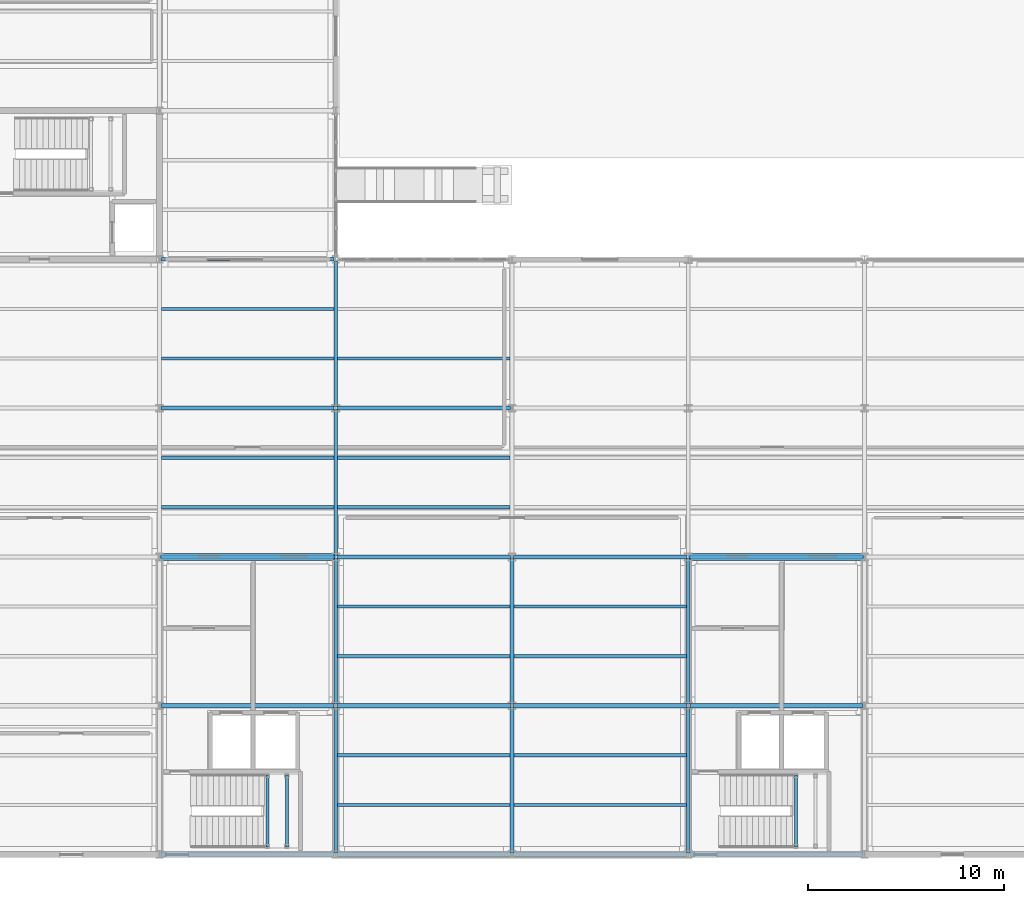
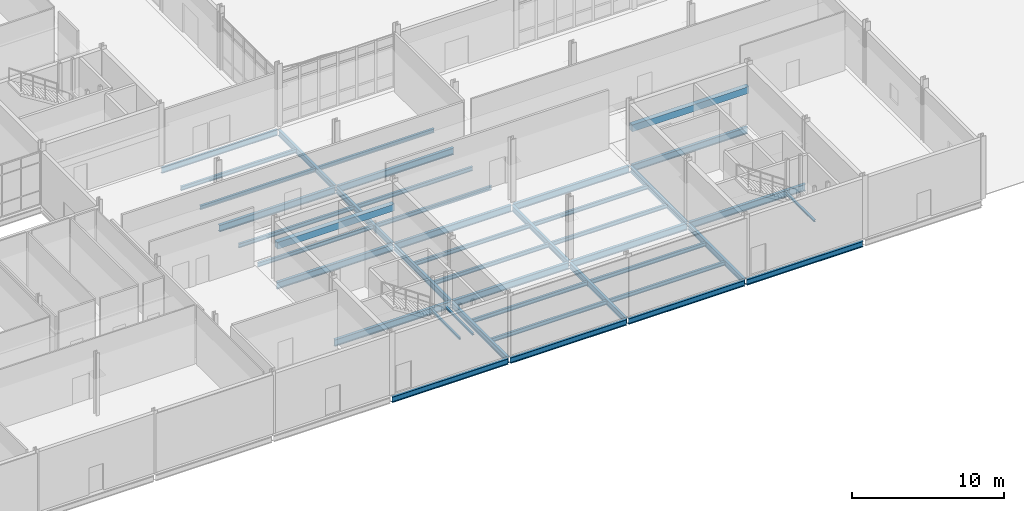
# One storey, part 54 of 161: 43 beams.
"""IFC4 building model written with IfcOpenShell, lengths in metres."""

from ifc_helpers import new_model, si_unit, direction, frame, origin, origin_2d, place, context, subcontext, project, spatial, rectangle, i_section, extrude, material, material_profile, profile_set, type_object, element, save


model = new_model("IFC4")

# Units and contexts
model_context = context("Model", 3, precision=1e-05, world=origin(), true_north=direction((0.0, 1.0)))
body_context = subcontext(model_context, "Body", "Model", "MODEL_VIEW")
ifc_project = project(units=[si_unit("LENGTHUNIT", "METRE"), si_unit("AREAUNIT", "SQUARE_METRE"), si_unit("VOLUMEUNIT", "CUBIC_METRE"), si_unit("PLANEANGLEUNIT", "RADIAN"), si_unit("MASSUNIT", "GRAM", prefix="KILO")], contexts=[model_context])

# Site, building, storey
site_placement = place(None, origin())
site = spatial("IfcSite", under=ifc_project, at=site_placement, CompositionType="ELEMENT")
building_placement = place(site_placement, origin())
building = spatial("IfcBuilding", under=site, at=building_placement, Name="Caisbarro Railhouse Central Library", CompositionType="ELEMENT")
storey_placement = place(building_placement, origin())
storey = spatial("IfcBuildingStorey", under=building, at=storey_placement, Name="L00", CompositionType="ELEMENT", Elevation=0.0)

# Beams
ifc_material_1 = material(Name="Steel ASTM A572 Grade 50", Category="steel")
ifc_material_profile_1 = material_profile(ifc_material_1, i_section(OverallWidth=0.2119140625, OverallDepth=0.5439453125, WebThickness=0.01318359375, FlangeThickness=0.021240234375, FilletRadius=0.02001953125, at=origin_2d()), Name="W530X123.0")
ifc_profile_set_1 = profile_set([ifc_material_profile_1], Name="Steel ASTM A572 Grade 50")
beam_type_1 = type_object("IfcBeamType", Name="BM-G05", PredefinedType="BEAM", material=ifc_profile_set_1)
for number, where, z_axis, x_axis, name in (
    (1, (63.080078125, 7.60009765625, -0.552001953125), (1.0, 0.0, 0.0), (0.0, 1.0, 0.0), "G05 beam L00 #157"),
    (2, (72.080078125, 7.60009765625, -0.552001953125), (1.0, 0.0, 0.0), (0.0, 1.0, 0.0), "G05 beam L00 #158"),
    (3, (81.080078125, 7.60009765625, -0.552001953125), (1.0, 0.0, 0.0), (0.0, 1.0, 0.0), "G05 beam L00 #159"),
    (4, (90.080078125, 7.60009765625, -0.552001953125), (1.0, 0.0, 0.0), (0.0, 1.0, 0.0), "G05 beam L00 #160"),
    (5, (63.080078125, 15.199951171875, -0.552001953125), (1.0, 0.0, 0.0), (0.0, 1.0, 0.0), "G05 beam L00 #163"),
    (6, (72.080078125, 15.199951171875, -0.552001953125), (1.0, 0.0, 0.0), (0.0, 1.0, 0.0), "G05 beam L00 #164"),
    (7, (81.080078125, 15.199951171875, -0.552001953125), (1.0, 0.0, 0.0), (0.0, 1.0, 0.0), "G05 beam L00 #165"),
    (8, (90.080078125, 15.199951171875, -0.552001953125), (1.0, 0.0, 0.0), (0.0, 1.0, 0.0), "G05 beam L00 #166"),
    (9, (63.080078125, 22.800048828125, -0.552001953125), (1.0, 0.0, 0.0), (0.0, 1.0, 0.0), "G05 beam L00 #169"),
    (10, (72.080078125, 22.800048828125, -0.552001953125), (1.0, 0.0, 0.0), (0.0, 1.0, 0.0), "G05 beam L00 #170"),
):
    element("IfcBeam", number, at=place(storey_placement, frame(where, z_axis=z_axis, x_axis=x_axis)), inside=storey, type_object=beam_type_1, Name=name, PredefinedType="BEAM", context=body_context, shape_type="SweptSolid", body=[
        extrude(i_section(OverallWidth=0.2119140625, OverallDepth=0.5439453125, WebThickness=0.01318359375, FlangeThickness=0.021240234375, FilletRadius=0.02001953125, at=origin_2d()), origin(), (0.0, 0.0, 1.0), 8.83984375),
    ])
ifc_material_profile_2 = material_profile(ifc_material_1, i_section(OverallWidth=0.194091796875, OverallDepth=0.468994140625, WebThickness=0.0126953125, FlangeThickness=0.0205078125, FilletRadius=0.01806640625, at=origin_2d()), Name="W460X106.0")
ifc_profile_set_2 = profile_set([ifc_material_profile_2], Name="Steel ASTM A572 Grade 50")
beam_type_2 = type_object("IfcBeamType", Name="BM-G07", PredefinedType="BEAM", material=ifc_profile_set_2)
beam_1_placement = place(storey_placement, frame((72.0, 0.080078125, -0.514404296875), z_axis=(0.0, 1.0, 0.0), x_axis=(-1.0, 0.0, 0.0)))
element("IfcBeam", 11, at=beam_1_placement, inside=storey, type_object=beam_type_2, Name="G07 beam L00 #185", PredefinedType="BEAM", context=body_context, shape_type="SweptSolid", body=[
    extrude(i_section(OverallWidth=0.194091796875, OverallDepth=0.468994140625, WebThickness=0.0126953125, FlangeThickness=0.0205078125, FilletRadius=0.01806640625, at=origin_2d()), origin(), (0.0, 0.0, 1.0), 7.43994140625),
])
beam_2_placement = place(storey_placement, frame((72.0, 7.679931640625, -0.514404296875), z_axis=(0.0, 1.0, 0.0), x_axis=(-1.0, 0.0, 0.0)))
element("IfcBeam", 12, at=beam_2_placement, inside=storey, type_object=beam_type_2, Name="G07 beam L00 #186", PredefinedType="BEAM", context=body_context, shape_type="SweptSolid", body=[
    extrude(i_section(OverallWidth=0.194091796875, OverallDepth=0.468994140625, WebThickness=0.0126953125, FlangeThickness=0.0205078125, FilletRadius=0.01806640625, at=origin_2d()), origin(), (0.0, 0.0, 1.0), 7.440185546875),
])
beam_3_placement = place(storey_placement, frame((72.0, 15.280029296875, -0.514404296875), z_axis=(0.0, 1.0, 0.0), x_axis=(-1.0, 0.0, 0.0)))
element("IfcBeam", 13, at=beam_3_placement, inside=storey, type_object=beam_type_2, Name="G07 beam L00 #187", PredefinedType="BEAM", context=body_context, shape_type="SweptSolid", body=[
    extrude(i_section(OverallWidth=0.194091796875, OverallDepth=0.468994140625, WebThickness=0.0126953125, FlangeThickness=0.0205078125, FilletRadius=0.01806640625, at=origin_2d()), origin(), (0.0, 0.0, 1.0), 7.43994140625),
])
beam_4_placement = place(storey_placement, frame((72.0, 22.8798828125, -0.514404296875), z_axis=(0.0, 1.0, 0.0), x_axis=(-1.0, 0.0, 0.0)))
element("IfcBeam", 14, at=beam_4_placement, inside=storey, type_object=beam_type_2, Name="G07 beam L00 #188", PredefinedType="BEAM", context=body_context, shape_type="SweptSolid", body=[
    extrude(i_section(OverallWidth=0.194091796875, OverallDepth=0.468994140625, WebThickness=0.0126953125, FlangeThickness=0.0205078125, FilletRadius=0.01806640625, at=origin_2d()), origin(), (0.0, 0.0, 1.0), 7.440185546875),
])
beam_5_placement = place(storey_placement, frame((81.0, 0.080078125, -0.514404296875), z_axis=(0.0, 1.0, 0.0), x_axis=(-1.0, 0.0, 0.0)))
element("IfcBeam", 15, at=beam_5_placement, inside=storey, type_object=beam_type_2, Name="G07 beam L00 #189", PredefinedType="BEAM", context=body_context, shape_type="SweptSolid", body=[
    extrude(i_section(OverallWidth=0.194091796875, OverallDepth=0.468994140625, WebThickness=0.0126953125, FlangeThickness=0.0205078125, FilletRadius=0.01806640625, at=origin_2d()), origin(), (0.0, 0.0, 1.0), 7.43994140625),
])
beam_6_placement = place(storey_placement, frame((81.0, 7.679931640625, -0.514404296875), z_axis=(0.0, 1.0, 0.0), x_axis=(-1.0, 0.0, 0.0)))
element("IfcBeam", 16, at=beam_6_placement, inside=storey, type_object=beam_type_2, Name="G07 beam L00 #190", PredefinedType="BEAM", context=body_context, shape_type="SweptSolid", body=[
    extrude(i_section(OverallWidth=0.194091796875, OverallDepth=0.468994140625, WebThickness=0.0126953125, FlangeThickness=0.0205078125, FilletRadius=0.01806640625, at=origin_2d()), origin(), (0.0, 0.0, 1.0), 7.440185546875),
])
beam_7_placement = place(storey_placement, frame((90.0, 0.080078125, -0.514404296875), z_axis=(0.0, 1.0, 0.0), x_axis=(-1.0, 0.0, 0.0)))
element("IfcBeam", 17, at=beam_7_placement, inside=storey, type_object=beam_type_2, Name="G07 beam L00 #193", PredefinedType="BEAM", context=body_context, shape_type="SweptSolid", body=[
    extrude(i_section(OverallWidth=0.194091796875, OverallDepth=0.468994140625, WebThickness=0.0126953125, FlangeThickness=0.0205078125, FilletRadius=0.01806640625, at=origin_2d()), origin(), (0.0, 0.0, 1.0), 7.43994140625),
])
beam_8_placement = place(storey_placement, frame((90.0, 7.679931640625, -0.514404296875), z_axis=(0.0, 1.0, 0.0), x_axis=(-1.0, 0.0, 0.0)))
element("IfcBeam", 18, at=beam_8_placement, inside=storey, type_object=beam_type_2, Name="G07 beam L00 #194", PredefinedType="BEAM", context=body_context, shape_type="SweptSolid", body=[
    extrude(i_section(OverallWidth=0.194091796875, OverallDepth=0.468994140625, WebThickness=0.0126953125, FlangeThickness=0.0205078125, FilletRadius=0.01806640625, at=origin_2d()), origin(), (0.0, 0.0, 1.0), 7.440185546875),
])
ifc_material_profile_3 = material_profile(ifc_material_1, i_section(OverallWidth=0.1669921875, OverallDepth=0.31689453125, WebThickness=0.007568359375, FlangeThickness=0.01318359375, FilletRadius=0.011962890625, at=origin_2d()), Name="W310X52.0")
ifc_profile_set_3 = profile_set([ifc_material_profile_3], Name="Steel ASTM A572 Grade 50")
beam_type_3 = type_object("IfcBeamType", Name="BM-J02", PredefinedType="JOIST", material=ifc_profile_set_3)
for number, where, z_axis, x_axis, name in (
    (19, (63.096923828125, 17.7333984375, -0.4384765625), (1.0, 0.0, 0.0), (0.0, 1.0, 0.0), "J02 beam L00 #213"),
    (20, (63.096923828125, 20.2666015625, -0.4384765625), (1.0, 0.0, 0.0), (0.0, 1.0, 0.0), "J02 beam L00 #214"),
    (21, (63.096923828125, 25.333251953125, -0.4384765625), (1.0, 0.0, 0.0), (0.0, 1.0, 0.0), "J02 beam L00 #215"),
    (22, (63.096923828125, 27.86669921875, -0.4384765625), (1.0, 0.0, 0.0), (0.0, 1.0, 0.0), "J02 beam L00 #216"),
    (23, (72.096923828125, 2.533203125, -0.4384765625), (1.0, 0.0, 0.0), (0.0, 1.0, 0.0), "J02 beam L00 #217"),
    (24, (72.096923828125, 5.066650390625, -0.4384765625), (1.0, 0.0, 0.0), (0.0, 1.0, 0.0), "J02 beam L00 #218"),
    (25, (72.096923828125, 10.13330078125, -0.4384765625), (1.0, 0.0, 0.0), (0.0, 1.0, 0.0), "J02 beam L00 #219"),
    (26, (72.096923828125, 12.666748046875, -0.4384765625), (1.0, 0.0, 0.0), (0.0, 1.0, 0.0), "J02 beam L00 #220"),
    (27, (72.096923828125, 17.7333984375, -0.4384765625), (1.0, 0.0, 0.0), (0.0, 1.0, 0.0), "J02 beam L00 #221"),
    (28, (72.096923828125, 20.2666015625, -0.4384765625), (1.0, 0.0, 0.0), (0.0, 1.0, 0.0), "J02 beam L00 #222"),
    (29, (72.096923828125, 25.333251953125, -0.4384765625), (1.0, 0.0, 0.0), (0.0, 1.0, 0.0), "J02 beam L00 #223"),
    (30, (81.096923828125, 2.533203125, -0.4384765625), (1.0, 0.0, 0.0), (0.0, 1.0, 0.0), "J02 beam L00 #225"),
    (31, (81.096923828125, 5.066650390625, -0.4384765625), (1.0, 0.0, 0.0), (0.0, 1.0, 0.0), "J02 beam L00 #226"),
    (32, (81.096923828125, 10.13330078125, -0.4384765625), (1.0, 0.0, 0.0), (0.0, 1.0, 0.0), "J02 beam L00 #227"),
    (33, (81.096923828125, 12.666748046875, -0.4384765625), (1.0, 0.0, 0.0), (0.0, 1.0, 0.0), "J02 beam L00 #228"),
):
    element("IfcBeam", number, at=place(storey_placement, frame(where, z_axis=z_axis, x_axis=x_axis)), inside=storey, type_object=beam_type_3, Name=name, PredefinedType="JOIST", context=body_context, shape_type="SweptSolid", body=[
        extrude(i_section(OverallWidth=0.1669921875, OverallDepth=0.31689453125, WebThickness=0.007568359375, FlangeThickness=0.01318359375, FilletRadius=0.011962890625, at=origin_2d()), origin(), (0.0, 0.0, 1.0), 8.80615234375),
    ])
ifc_material_2 = material(Name="Concrete C40", Category="concrete")
ifc_material_profile_4 = material_profile(ifc_material_2, rectangle(XDim=0.35009765625, YDim=0.550048828125, at=origin_2d()), Name="RC-LIN-350X550")
ifc_profile_set_4 = profile_set([ifc_material_profile_4], Name="Concrete C40")
beam_type_4 = type_object("IfcBeamType", Name="BM-LN00", PredefinedType="LINTEL", material=ifc_profile_set_4)
for number, where, z_axis, x_axis, name in (
    (34, (63.050048828125, 15.199951171875, 2.72509765625), (1.0, 0.0, 0.0), (0.0, 1.0, 0.0), "LN00 RC core coupling lintel K1 L00"),
    (35, (90.050048828125, 15.199951171875, 2.72509765625), (1.0, 0.0, 0.0), (0.0, 1.0, 0.0), "LN00 RC core coupling lintel K2 L00"),
):
    element("IfcBeam", number, at=place(storey_placement, frame(where, z_axis=z_axis, x_axis=x_axis)), inside=storey, type_object=beam_type_4, Name=name, PredefinedType="LINTEL", context=body_context, shape_type="SweptSolid", body=[
        extrude(rectangle(XDim=0.35009765625, YDim=0.550048828125, at=origin_2d()), origin(), (0.0, 0.0, 1.0), 8.89990234375),
    ])
ifc_material_profile_5 = material_profile(ifc_material_1, i_section(OverallWidth=0.152099609375, OverallDepth=0.152099609375, WebThickness=0.005859375, FlangeThickness=0.006591796875, FilletRadius=0.008056640625, at=origin_2d()), Name="W150X22.5")
ifc_profile_set_5 = profile_set([ifc_material_profile_5], Name="Steel ASTM A572 Grade 50")
beam_type_5 = type_object("IfcBeamType", Name="BM-SL00", PredefinedType="BEAM", material=ifc_profile_set_5)
for number, where, z_axis, x_axis, name in (
    (36, (68.5, 0.3798828125, 2.25390625), (0.0, 1.0, 0.0), (-1.0, 0.0, 0.0), "SL00 Stair Landing Support Beam K1 L00 W"),
    (37, (69.5, 0.3798828125, 2.25390625), (0.0, 1.0, 0.0), (-1.0, 0.0, 0.0), "SL00 Stair Landing Support Beam K1 L00 E"),
    (38, (95.5, 0.3798828125, 2.25390625), (0.0, 1.0, 0.0), (-1.0, 0.0, 0.0), "SL00 Stair Landing Support Beam K2 L00 W"),
):
    element("IfcBeam", number, at=place(storey_placement, frame(where, z_axis=z_axis, x_axis=x_axis)), inside=storey, type_object=beam_type_5, Name=name, PredefinedType="BEAM", context=body_context, shape_type="SweptSolid", body=[
        extrude(i_section(OverallWidth=0.152099609375, OverallDepth=0.152099609375, WebThickness=0.005859375, FlangeThickness=0.006591796875, FilletRadius=0.008056640625, at=origin_2d()), origin(), (0.0, 0.0, 1.0), 3.690185546875),
    ])
ifc_material_profile_6 = material_profile(ifc_material_1, i_section(OverallWidth=0.18994140625, OverallDepth=0.45703125, WebThickness=0.009033203125, FlangeThickness=0.014404296875, FilletRadius=0.01806640625, at=origin_2d()), Name="W460X74.0")
ifc_profile_set_6 = profile_set([ifc_material_profile_6], Name="Steel ASTM A572 Grade 50")
beam_type_6 = type_object("IfcBeamType", Name="BM-SP01", PredefinedType="SPANDREL", material=ifc_profile_set_6)
for number, where, z_axis, x_axis, name in (
    (39, (63.080078125, 0.0, -0.508544921875), (1.0, 0.0, 0.0), (0.0, 1.0, 0.0), "SP01 beam L00 #151"),
    (40, (72.080078125, 0.0, -0.508544921875), (1.0, 0.0, 0.0), (0.0, 1.0, 0.0), "SP01 beam L00 #152"),
    (41, (81.080078125, 0.0, -0.508544921875), (1.0, 0.0, 0.0), (0.0, 1.0, 0.0), "SP01 beam L00 #153"),
    (42, (90.080078125, 0.0, -0.508544921875), (1.0, 0.0, 0.0), (0.0, 1.0, 0.0), "SP01 beam L00 #154"),
    (43, (63.080078125, 30.39990234375, -0.508544921875), (1.0, 0.0, 0.0), (0.0, 1.0, 0.0), "SP01 beam L00 #175"),
):
    element("IfcBeam", number, at=place(storey_placement, frame(where, z_axis=z_axis, x_axis=x_axis)), inside=storey, type_object=beam_type_6, Name=name, PredefinedType="SPANDREL", context=body_context, shape_type="SweptSolid", body=[
        extrude(i_section(OverallWidth=0.18994140625, OverallDepth=0.45703125, WebThickness=0.009033203125, FlangeThickness=0.014404296875, FilletRadius=0.01806640625, at=origin_2d()), origin(), (0.0, 0.0, 1.0), 8.83984375),
    ])

save(model, "model.ifc")
